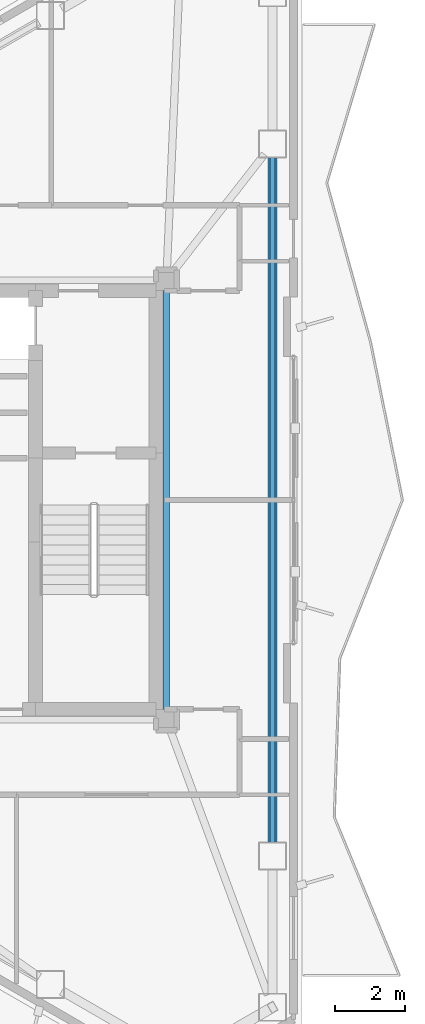
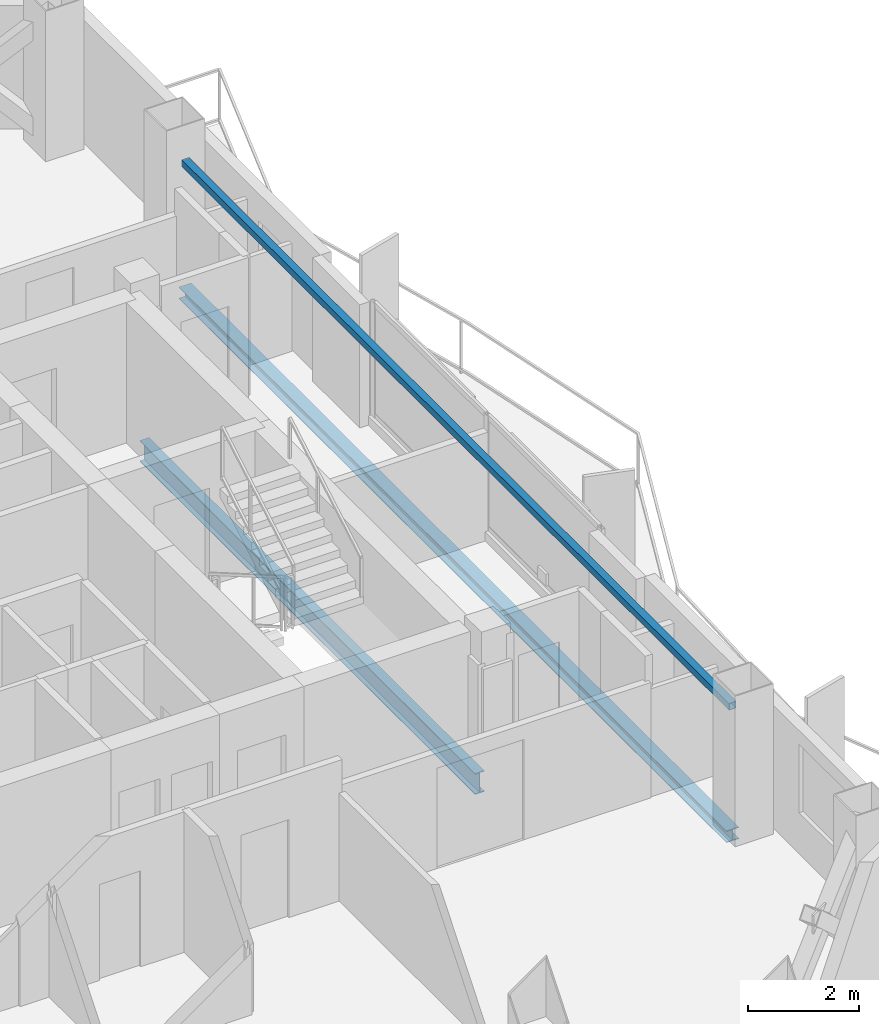
# One storey, part 11 of 18: 3 beams.
"""IFC4 building model written with IfcOpenShell, lengths in metres."""

from ifc_helpers import new_model, si_unit, direction, frame, origin, origin_2d, place, context, subcontext, project, spatial, hollow_rectangle, i_section, extrude, material, material_profile, profile_set, type_object, element, save


model = new_model("IFC4")

# Units and contexts
model_context = context("Model", 3, precision=1e-05, world=origin(), true_north=direction((0.0, 1.0)))
body_context = subcontext(model_context, "Body", "Model", "MODEL_VIEW")
ifc_project = project(units=[si_unit("LENGTHUNIT", "METRE"), si_unit("AREAUNIT", "SQUARE_METRE"), si_unit("VOLUMEUNIT", "CUBIC_METRE"), si_unit("PLANEANGLEUNIT", "RADIAN"), si_unit("MASSUNIT", "GRAM", prefix="KILO")], contexts=[model_context])

# Site, building, storey
site_placement = place(None, origin())
site = spatial("IfcSite", under=ifc_project, at=site_placement, CompositionType="ELEMENT")
building_placement = place(site_placement, origin())
building = spatial("IfcBuilding", under=site, at=building_placement, Name="Mersakhor Tower and Convention Hall", CompositionType="ELEMENT")
storey_placement = place(building_placement, frame((0.0, 0.0, 233.10009765625)))
storey = spatial("IfcBuildingStorey", under=building, at=storey_placement, Name="L65", CompositionType="ELEMENT", Elevation=233.10009765625)

# Beams
ifc_material_1 = material(Name="Steel S355", Category="steel")
ifc_material_profile_1 = material_profile(ifc_material_1, i_section(OverallWidth=0.19140625, OverallDepth=0.4599609375, WebThickness=0.010009765625, FlangeThickness=0.01611328125, at=origin_2d()), Name="UB 457x191x82")
ifc_profile_set_1 = profile_set([ifc_material_profile_1], Name="Steel S355")
beam_type_1 = type_object("IfcBeamType", Name="BM-FB-457", PredefinedType="BEAM", material=ifc_profile_set_1)
beam_1_placement = place(storey_placement, frame((36.10009765625, 32.77001953125, -0.4501953125), z_axis=(0.0, -1.0, 0.0), x_axis=(1.0, 0.0, 0.0)))
element("IfcBeam", 1, at=beam_1_placement, inside=storey, type_object=beam_type_1, Name="L65 Core Ring Tie Beam CRB-3", PredefinedType="BEAM", context=body_context, shape_type="SweptSolid", body=[
    extrude(i_section(OverallWidth=0.19140625, OverallDepth=0.4599609375, WebThickness=0.010009765625, FlangeThickness=0.01611328125, at=origin_2d()), origin(), (0.0, 0.0, 1.0), 12.0400390625),
])
ifc_material_2 = material(Name="Steel S355", Category="steel")
ifc_material_profile_2 = material_profile(ifc_material_2, hollow_rectangle(XDim=0.14990234375, YDim=0.14990234375, WallThickness=0.010009765625, at=origin_2d()), Name="SHS 150x150x10")
ifc_profile_set_2 = profile_set([ifc_material_profile_2], Name="Steel S355")
beam_type_2 = type_object("IfcBeamType", Name="BM-GRT-SHS150", PredefinedType="USERDEFINED", material=ifc_profile_set_2)
beam_2_placement = place(storey_placement, frame((39.142822265625, 36.580810546875, 2.47998046875), z_axis=(0.0, -1.0, 0.0), x_axis=(1.0, 0.0, 0.0)))
element("IfcBeam", 2, at=beam_2_placement, inside=storey, type_object=beam_type_2, Name="L65 Facade Support Girt GRT-F2", ObjectType="GIRT", PredefinedType="USERDEFINED", context=body_context, shape_type="SweptSolid", body=[
    extrude(hollow_rectangle(XDim=0.14990234375, YDim=0.14990234375, WallThickness=0.010009765625, at=origin_2d()), origin(), (0.0, 0.0, 1.0), 19.66162109375),
])
ifc_material_3 = material(Name="Steel S355", Category="steel")
ifc_material_profile_3 = material_profile(ifc_material_3, i_section(OverallWidth=0.25634765625, OverallDepth=0.26025390625, WebThickness=0.01025390625, FlangeThickness=0.017333984375, at=origin_2d()), Name="UC 254x254x89")
ifc_profile_set_3 = profile_set([ifc_material_profile_3], Name="Steel S355")
beam_type_3 = type_object("IfcBeamType", Name="BM-SPD-UC254", PredefinedType="SPANDREL", material=ifc_profile_set_3)
beam_3_placement = place(storey_placement, frame((39.142822265625, 36.580810546875, -0.35009765625), z_axis=(0.0, -1.0, 0.0), x_axis=(1.0, 0.0, 0.0)))
element("IfcBeam", 3, at=beam_3_placement, inside=storey, type_object=beam_type_3, Name="L65 Perimeter Spandrel Beam SPB-06", PredefinedType="SPANDREL", context=body_context, shape_type="SweptSolid", body=[
    extrude(i_section(OverallWidth=0.25634765625, OverallDepth=0.26025390625, WebThickness=0.01025390625, FlangeThickness=0.017333984375, at=origin_2d()), origin(), (0.0, 0.0, 1.0), 19.66162109375),
])

save(model, "model.ifc")
